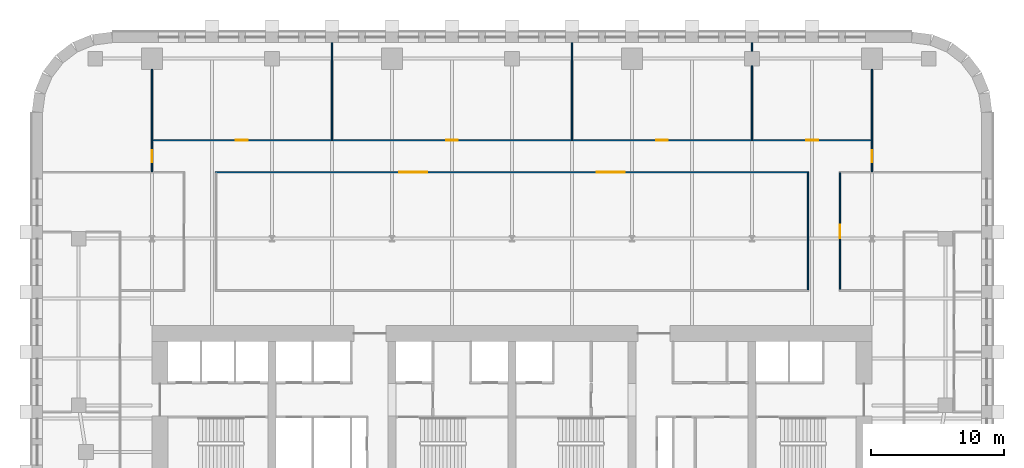
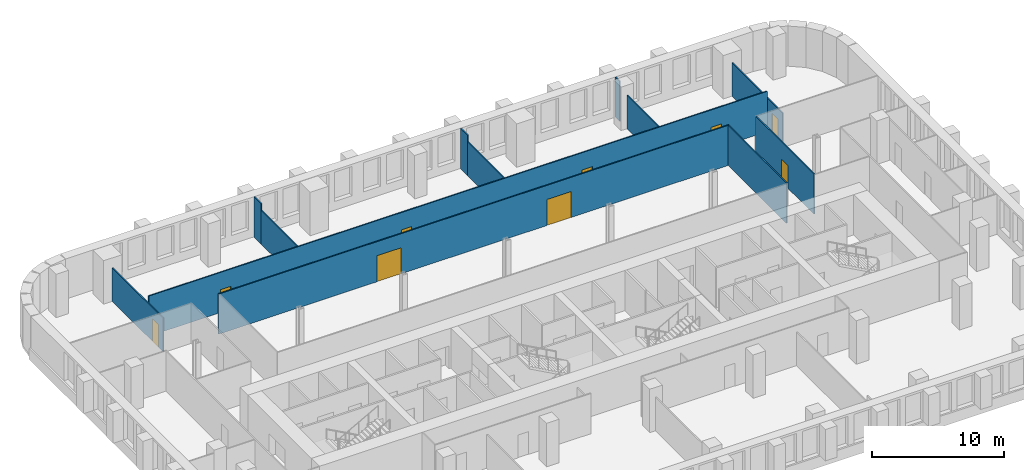
# One storey, part 7 of 12: 12 walls, 9 doors, 9 openings.
"""IFC4 building model written with IfcOpenShell, lengths in metres."""

from ifc_helpers import new_model, si_unit, direction, frame, frame_2d, origin, place, context, subcontext, project, spatial, rectangle, extrude, material, layer, layer_set, type_object, element, fill, save


model = new_model("IFC4")

# Units and contexts
model_context = context("Model", 3, precision=1e-05, world=origin(), true_north=direction((0.0, 1.0)))
body_context = subcontext(model_context, "Body", "Model", "MODEL_VIEW")
ifc_project = project(units=[si_unit("LENGTHUNIT", "METRE"), si_unit("AREAUNIT", "SQUARE_METRE"), si_unit("VOLUMEUNIT", "CUBIC_METRE"), si_unit("PLANEANGLEUNIT", "RADIAN"), si_unit("MASSUNIT", "GRAM", prefix="KILO")], contexts=[model_context])

# Site, building, storey
site_placement = place(None, origin())
site = spatial("IfcSite", under=ifc_project, at=site_placement, CompositionType="ELEMENT")
building_placement = place(site_placement, origin())
building = spatial("IfcBuilding", under=site, at=building_placement, Name="Zellij Exchange Tower", CompositionType="ELEMENT")
storey_placement = place(building_placement, frame((0.0, 0.0, 96.5)))
storey = spatial("IfcBuildingStorey", under=building, at=storey_placement, Name="L20", CompositionType="ELEMENT", Elevation=96.5)

# Wall
ifc_material_1 = material(Name="Gypsum board partition on steel studs", Category="steel")
ifc_layer = layer(ifc_material_1, 0.10009765625)
ifc_layer_set = layer_set([ifc_layer], Name="Gypsum board partition on steel studs")
wall_type = type_object("IfcWallType", Name="FIT-PARTITION-100", PredefinedType="PARTITIONING", material=ifc_layer_set)
wall_1_placement = place(storey_placement, frame((22.199951171875, 0.64990234375, 0.0), z_axis=(0.0, 0.0, 1.0), x_axis=(0.0, 1.0, 0.0)))
element("IfcWall", 1, at=wall_1_placement, inside=storey, type_object=wall_type, Name="FIT-PARTITION-100 028", PredefinedType="PARTITIONING", context=body_context, shape_type="SweptSolid", body=[
    extrude(rectangle(XDim=8.780029296875, YDim=0.10009765625, at=frame_2d((4.39013671875, 0.0))), origin(), (0.0, 0.0, 1.0), 3.699951171875),
])

# Wall, opening, door
wall_2_placement = place(storey_placement, frame((24.60009765625, 0.64990234375, 0.0), z_axis=(0.0, 0.0, 1.0), x_axis=(0.0, 1.0, 0.0)))
wall_2 = element("IfcWall", 2, at=wall_2_placement, inside=storey, type_object=wall_type, Name="FIT-PARTITION-100 030", PredefinedType="PARTITIONING", context=body_context, shape_type="SweptSolid", body=[
    extrude(rectangle(XDim=8.780029296875, YDim=0.10009765625, at=frame_2d((4.39013671875, 0.0))), origin(), (0.0, 0.0, 1.0), 3.699951171875),
])
opening_1_placement = place(wall_2_placement, frame((3.89990234375, 0.0, 0.0)))
opening_1 = element("IfcOpeningElement", 3, at=opening_1_placement, cuts=wall_2, Name="Opening TD.11", PredefinedType="OPENING", context=body_context, shape_type="SweptSolid", body=[
    extrude(rectangle(XDim=1.0, YDim=2.10009765625, at=frame_2d((0.5, 1.050048828125))), frame((0.0, 0.06201171875, 0.0), z_axis=(0.0, -1.0, 0.0), x_axis=(1.0, 0.0, 0.0)), (0.0, 0.0, 1.0), 0.1240234375),
])
ifc_material_2 = material(Name="Timber door set", Category="wood")
door_type_1 = type_object("IfcDoorType", Name="FIT-D2-WIDE-1000X2100", OperationType="SINGLE_SWING_LEFT", PredefinedType="DOOR", material=ifc_material_2)
door_1_placement = place(opening_1_placement, origin())
door_1 = element("IfcDoor", 4, at=door_1_placement, inside=storey, type_object=door_type_1, Name="Door TD.11", OperationType="SINGLE_SWING_RIGHT", OverallHeight=2.10009765625, OverallWidth=1.0, PredefinedType="DOOR", context=body_context, shape_type="SweptSolid", body=[
    extrude(rectangle(XDim=1.0, YDim=2.10009765625, at=frame_2d((0.5, 1.050048828125))), frame((0.0, 0.02490234375, 0.0), z_axis=(0.0, -1.0, 0.0), x_axis=(1.0, 0.0, 0.0)), (0.0, 0.0, 1.0), 0.050048828125),
])
fill(opening_1, door_1)

wall_3_placement = place(storey_placement, frame((-27.0, 9.530029296875, 0.0), z_axis=(0.0, 0.0, 1.0), x_axis=(0.0, 1.0, 0.0)))
wall_3 = element("IfcWall", 5, at=wall_3_placement, inside=storey, type_object=wall_type, Name="FIT-PARTITION-100 036", PredefinedType="PARTITIONING", context=body_context, shape_type="SweptSolid", body=[
    extrude(rectangle(XDim=7.669921875, YDim=0.10009765625, at=frame_2d((3.8349609375, 0.0))), origin(), (0.0, 0.0, 1.0), 3.087890625),
])
opening_2_placement = place(wall_3_placement, frame((0.699951171875, 0.0, 0.0)))
opening_2 = element("IfcOpeningElement", 6, at=opening_2_placement, cuts=wall_3, Name="Opening TD.14", PredefinedType="OPENING", context=body_context, shape_type="SweptSolid", body=[
    extrude(rectangle(XDim=0.89990234375, YDim=2.10009765625, at=frame_2d((0.449951171875, 1.050048828125))), frame((0.0, 0.06201171875, 0.0), z_axis=(0.0, -1.0, 0.0), x_axis=(1.0, 0.0, 0.0)), (0.0, 0.0, 1.0), 0.1240234375),
])
door_type_2 = type_object("IfcDoorType", Name="FIT-D1-ROOM-900X2100", OperationType="SINGLE_SWING_LEFT", PredefinedType="DOOR", material=ifc_material_2)
door_2_placement = place(opening_2_placement, origin())
door_2 = element("IfcDoor", 7, at=door_2_placement, inside=storey, type_object=door_type_2, Name="Door TD.14", OperationType="SINGLE_SWING_RIGHT", OverallHeight=2.10009765625, OverallWidth=0.89990234375, PredefinedType="DOOR", context=body_context, shape_type="SweptSolid", body=[
    extrude(rectangle(XDim=0.89990234375, YDim=2.10009765625, at=frame_2d((0.449951171875, 1.050048828125))), frame((0.0, 0.02490234375, 0.0), z_axis=(0.0, -1.0, 0.0), x_axis=(1.0, 0.0, 0.0)), (0.0, 0.0, 1.0), 0.050048828125),
])
fill(opening_2, door_2)

# Wall, openings, doors
wall_4_placement = place(storey_placement, frame((-22.25, 9.47998046875, 0.0), z_axis=(0.0, 0.0, 1.0), x_axis=(1.0, 0.0, 0.0)))
wall_4 = element("IfcWall", 8, at=wall_4_placement, inside=storey, type_object=wall_type, Name="FIT-PARTITION-100 037", PredefinedType="PARTITIONING", context=body_context, shape_type="SweptSolid", body=[
    extrude(rectangle(XDim=44.5, YDim=0.10009765625, at=frame_2d((22.25, 0.0))), origin(), (0.0, 0.0, 1.0), 3.699951171875),
])
opening_3_placement = place(wall_4_placement, frame((13.800048828125, 0.0, 0.0)))
opening_3 = element("IfcOpeningElement", 9, at=opening_3_placement, cuts=wall_4, Name="Opening TD.12", PredefinedType="OPENING", context=body_context, shape_type="SweptSolid", body=[
    extrude(rectangle(XDim=2.10009765625, YDim=2.39990234375, at=frame_2d((1.050048828125, 1.199951171875))), frame((0.0, 0.06201171875, 0.0), z_axis=(0.0, -1.0, 0.0), x_axis=(1.0, 0.0, 0.0)), (0.0, 0.0, 1.0), 0.1240234375),
])
opening_4_placement = place(wall_4_placement, frame((28.60009765625, 0.0, 0.0)))
opening_4 = element("IfcOpeningElement", 10, at=opening_4_placement, cuts=wall_4, Name="Opening TD.13", PredefinedType="OPENING", context=body_context, shape_type="SweptSolid", body=[
    extrude(rectangle(XDim=2.10009765625, YDim=2.39990234375, at=frame_2d((1.050048828125, 1.199951171875))), frame((0.0, 0.06201171875, 0.0), z_axis=(0.0, -1.0, 0.0), x_axis=(1.0, 0.0, 0.0)), (0.0, 0.0, 1.0), 0.1240234375),
])
door_type_3 = type_object("IfcDoorType", Name="FIT-D7-ASSEMBLY-2100X2400", OperationType="DOUBLE_DOOR_SINGLE_SWING", PredefinedType="DOOR", material=ifc_material_2)
door_3_placement = place(opening_3_placement, origin())
door_3 = element("IfcDoor", 11, at=door_3_placement, inside=storey, type_object=door_type_3, Name="Door TD.12", OperationType="DOUBLE_DOOR_SINGLE_SWING", OverallHeight=2.39990234375, OverallWidth=2.10009765625, PredefinedType="DOOR", context=body_context, shape_type="SweptSolid", body=[
    extrude(rectangle(XDim=2.10009765625, YDim=2.39990234375, at=frame_2d((1.050048828125, 1.199951171875))), frame((0.0, 0.02490234375, 0.0), z_axis=(0.0, -1.0, 0.0), x_axis=(1.0, 0.0, 0.0)), (0.0, 0.0, 1.0), 0.050048828125),
])
fill(opening_3, door_3)
door_4_placement = place(opening_4_placement, origin())
door_4 = element("IfcDoor", 12, at=door_4_placement, inside=storey, type_object=door_type_3, Name="Door TD.13", OperationType="DOUBLE_DOOR_SINGLE_SWING", OverallHeight=2.39990234375, OverallWidth=2.10009765625, PredefinedType="DOOR", context=body_context, shape_type="SweptSolid", body=[
    extrude(rectangle(XDim=2.10009765625, YDim=2.39990234375, at=frame_2d((1.050048828125, 1.199951171875))), frame((0.0, 0.02490234375, 0.0), z_axis=(0.0, -1.0, 0.0), x_axis=(1.0, 0.0, 0.0)), (0.0, 0.0, 1.0), 0.050048828125),
])
fill(opening_4, door_4)

# Wall, opening, door
wall_5_placement = place(storey_placement, frame((27.0, 9.530029296875, 0.0), z_axis=(0.0, 0.0, 1.0), x_axis=(0.0, 1.0, 0.0)))
wall_5 = element("IfcWall", 13, at=wall_5_placement, inside=storey, type_object=wall_type, Name="FIT-PARTITION-100 039", PredefinedType="PARTITIONING", context=body_context, shape_type="SweptSolid", body=[
    extrude(rectangle(XDim=7.669921875, YDim=0.10009765625, at=frame_2d((3.8349609375, 0.0))), origin(), (0.0, 0.0, 1.0), 3.087890625),
])
opening_5_placement = place(wall_5_placement, frame((0.699951171875, 0.0, 0.0)))
opening_5 = element("IfcOpeningElement", 14, at=opening_5_placement, cuts=wall_5, Name="Opening TD.15", PredefinedType="OPENING", context=body_context, shape_type="SweptSolid", body=[
    extrude(rectangle(XDim=0.89990234375, YDim=2.10009765625, at=frame_2d((0.449951171875, 1.050048828125))), frame((0.0, 0.06201171875, 0.0), z_axis=(0.0, -1.0, 0.0), x_axis=(1.0, 0.0, 0.0)), (0.0, 0.0, 1.0), 0.1240234375),
])
door_5_placement = place(opening_5_placement, origin())
door_5 = element("IfcDoor", 15, at=door_5_placement, inside=storey, type_object=door_type_2, Name="Door TD.15", OperationType="SINGLE_SWING_LEFT", OverallHeight=2.10009765625, OverallWidth=0.89990234375, PredefinedType="DOOR", context=body_context, shape_type="SweptSolid", body=[
    extrude(rectangle(XDim=0.89990234375, YDim=2.10009765625, at=frame_2d((0.449951171875, 1.050048828125))), frame((0.0, 0.02490234375, 0.0), z_axis=(0.0, -1.0, 0.0), x_axis=(1.0, 0.0, 0.0)), (0.0, 0.0, 1.0), 0.050048828125),
])
fill(opening_5, door_5)

# Wall, openings, doors
wall_6_placement = place(storey_placement, frame((-26.949951171875, 11.8798828125, 0.0), z_axis=(0.0, 0.0, 1.0), x_axis=(1.0, 0.0, 0.0)))
wall_6 = element("IfcWall", 16, at=wall_6_placement, inside=storey, type_object=wall_type, Name="FIT-PARTITION-100 040", PredefinedType="PARTITIONING", context=body_context, shape_type="SweptSolid", body=[
    extrude(rectangle(XDim=53.89990234375, YDim=0.10009765625, at=frame_2d((26.949951171875, 0.0))), origin(), (0.0, 0.0, 1.0), 3.699951171875),
])
opening_6_placement = place(wall_6_placement, frame((6.25, 0.0, 0.0)))
opening_6 = element("IfcOpeningElement", 17, at=opening_6_placement, cuts=wall_6, Name="Opening TD.16", PredefinedType="OPENING", context=body_context, shape_type="SweptSolid", body=[
    extrude(rectangle(XDim=0.89990234375, YDim=2.10009765625, at=frame_2d((0.449951171875, 1.050048828125))), frame((0.0, 0.06201171875, 0.0), z_axis=(0.0, -1.0, 0.0), x_axis=(1.0, 0.0, 0.0)), (0.0, 0.0, 1.0), 0.1240234375),
])
opening_7_placement = place(wall_6_placement, frame((22.0, 0.0, 0.0)))
opening_7 = element("IfcOpeningElement", 18, at=opening_7_placement, cuts=wall_6, Name="Opening TD.17", PredefinedType="OPENING", context=body_context, shape_type="SweptSolid", body=[
    extrude(rectangle(XDim=0.89990234375, YDim=2.10009765625, at=frame_2d((0.449951171875, 1.050048828125))), frame((0.0, 0.06201171875, 0.0), z_axis=(0.0, -1.0, 0.0), x_axis=(1.0, 0.0, 0.0)), (0.0, 0.0, 1.0), 0.1240234375),
])
opening_8_placement = place(wall_6_placement, frame((37.75, 0.0, 0.0)))
opening_8 = element("IfcOpeningElement", 19, at=opening_8_placement, cuts=wall_6, Name="Opening TD.18", PredefinedType="OPENING", context=body_context, shape_type="SweptSolid", body=[
    extrude(rectangle(XDim=0.89990234375, YDim=2.10009765625, at=frame_2d((0.449951171875, 1.050048828125))), frame((0.0, 0.06201171875, 0.0), z_axis=(0.0, -1.0, 0.0), x_axis=(1.0, 0.0, 0.0)), (0.0, 0.0, 1.0), 0.1240234375),
])
opening_9_placement = place(wall_6_placement, frame((49.0, 0.0, 0.0)))
opening_9 = element("IfcOpeningElement", 20, at=opening_9_placement, cuts=wall_6, Name="Opening TD.19", PredefinedType="OPENING", context=body_context, shape_type="SweptSolid", body=[
    extrude(rectangle(XDim=0.89990234375, YDim=2.10009765625, at=frame_2d((0.449951171875, 1.050048828125))), frame((0.0, 0.06201171875, 0.0), z_axis=(0.0, -1.0, 0.0), x_axis=(1.0, 0.0, 0.0)), (0.0, 0.0, 1.0), 0.1240234375),
])
door_6_placement = place(opening_6_placement, origin())
door_6 = element("IfcDoor", 21, at=door_6_placement, inside=storey, type_object=door_type_2, Name="Door TD.16", OperationType="SINGLE_SWING_RIGHT", OverallHeight=2.10009765625, OverallWidth=0.89990234375, PredefinedType="DOOR", context=body_context, shape_type="SweptSolid", body=[
    extrude(rectangle(XDim=0.89990234375, YDim=2.10009765625, at=frame_2d((0.449951171875, 1.050048828125))), frame((0.0, 0.02490234375, 0.0), z_axis=(0.0, -1.0, 0.0), x_axis=(1.0, 0.0, 0.0)), (0.0, 0.0, 1.0), 0.050048828125),
])
fill(opening_6, door_6)
door_7_placement = place(opening_7_placement, origin())
door_7 = element("IfcDoor", 22, at=door_7_placement, inside=storey, type_object=door_type_2, Name="Door TD.17", OperationType="SINGLE_SWING_RIGHT", OverallHeight=2.10009765625, OverallWidth=0.89990234375, PredefinedType="DOOR", context=body_context, shape_type="SweptSolid", body=[
    extrude(rectangle(XDim=0.89990234375, YDim=2.10009765625, at=frame_2d((0.449951171875, 1.050048828125))), frame((0.0, 0.02490234375, 0.0), z_axis=(0.0, -1.0, 0.0), x_axis=(1.0, 0.0, 0.0)), (0.0, 0.0, 1.0), 0.050048828125),
])
fill(opening_7, door_7)
door_8_placement = place(opening_8_placement, origin())
door_8 = element("IfcDoor", 23, at=door_8_placement, inside=storey, type_object=door_type_2, Name="Door TD.18", OperationType="SINGLE_SWING_RIGHT", OverallHeight=2.10009765625, OverallWidth=0.89990234375, PredefinedType="DOOR", context=body_context, shape_type="SweptSolid", body=[
    extrude(rectangle(XDim=0.89990234375, YDim=2.10009765625, at=frame_2d((0.449951171875, 1.050048828125))), frame((0.0, 0.02490234375, 0.0), z_axis=(0.0, -1.0, 0.0), x_axis=(1.0, 0.0, 0.0)), (0.0, 0.0, 1.0), 0.050048828125),
])
fill(opening_8, door_8)
door_9_placement = place(opening_9_placement, origin())
door_9 = element("IfcDoor", 24, at=door_9_placement, inside=storey, type_object=door_type_2, Name="Door TD.19", OperationType="SINGLE_SWING_RIGHT", OverallHeight=2.10009765625, OverallWidth=0.89990234375, PredefinedType="DOOR", context=body_context, shape_type="SweptSolid", body=[
    extrude(rectangle(XDim=0.89990234375, YDim=2.10009765625, at=frame_2d((0.449951171875, 1.050048828125))), frame((0.0, 0.02490234375, 0.0), z_axis=(0.0, -1.0, 0.0), x_axis=(1.0, 0.0, 0.0)), (0.0, 0.0, 1.0), 0.050048828125),
])
fill(opening_9, door_9)

# Walls
wall_7_placement = place(storey_placement, frame((-13.5, 11.929931640625, 0.0), z_axis=(0.0, 0.0, 1.0), x_axis=(0.0, 1.0, 0.0)))
element("IfcWall", 25, at=wall_7_placement, inside=storey, type_object=wall_type, Name="FIT-PARTITION-100 041", PredefinedType="PARTITIONING", context=body_context, shape_type="SweptSolid", body=[
    extrude(rectangle(XDim=6.1845703125, YDim=0.10009765625, at=frame_2d((3.09228515625, 0.0))), origin(), (0.0, 0.0, 1.0), 3.097900390625),
])
wall_8_placement = place(storey_placement, frame((-13.5, 18.114501953125, 0.0), z_axis=(0.0, 0.0, 1.0), x_axis=(0.0, 1.0, 0.0)))
element("IfcWall", 26, at=wall_8_placement, inside=storey, type_object=wall_type, Name="FIT-PARTITION-100 042", PredefinedType="PARTITIONING", context=body_context, shape_type="SweptSolid", body=[
    extrude(rectangle(XDim=1.08544921875, YDim=0.10009765625, at=frame_2d((0.542724609375, 0.0))), origin(), (0.0, 0.0, 1.0), 3.699951171875),
])
wall_9_placement = place(storey_placement, frame((4.5, 11.929931640625, 0.0), z_axis=(0.0, 0.0, 1.0), x_axis=(0.0, 1.0, 0.0)))
element("IfcWall", 27, at=wall_9_placement, inside=storey, type_object=wall_type, Name="FIT-PARTITION-100 043", PredefinedType="PARTITIONING", context=body_context, shape_type="SweptSolid", body=[
    extrude(rectangle(XDim=6.1845703125, YDim=0.10009765625, at=frame_2d((3.09228515625, 0.0))), origin(), (0.0, 0.0, 1.0), 3.097900390625),
])
wall_10_placement = place(storey_placement, frame((4.5, 18.114501953125, 0.0), z_axis=(0.0, 0.0, 1.0), x_axis=(0.0, 1.0, 0.0)))
element("IfcWall", 28, at=wall_10_placement, inside=storey, type_object=wall_type, Name="FIT-PARTITION-100 044", PredefinedType="PARTITIONING", context=body_context, shape_type="SweptSolid", body=[
    extrude(rectangle(XDim=1.08544921875, YDim=0.10009765625, at=frame_2d((0.542724609375, 0.0))), origin(), (0.0, 0.0, 1.0), 3.699951171875),
])
wall_11_placement = place(storey_placement, frame((18.0, 11.929931640625, 0.0), z_axis=(0.0, 0.0, 1.0), x_axis=(0.0, 1.0, 0.0)))
element("IfcWall", 29, at=wall_11_placement, inside=storey, type_object=wall_type, Name="FIT-PARTITION-100 045", PredefinedType="PARTITIONING", context=body_context, shape_type="SweptSolid", body=[
    extrude(rectangle(XDim=5.52001953125, YDim=0.10009765625, at=frame_2d((2.760009765625, 0.0))), origin(), (0.0, 0.0, 1.0), 3.087890625),
])
wall_12_placement = place(storey_placement, frame((18.0, 18.550048828125, 0.0), z_axis=(0.0, 0.0, 1.0), x_axis=(0.0, 1.0, 0.0)))
element("IfcWall", 30, at=wall_12_placement, inside=storey, type_object=wall_type, Name="FIT-PARTITION-100 046", PredefinedType="PARTITIONING", context=body_context, shape_type="SweptSolid", body=[
    extrude(rectangle(XDim=0.64990234375, YDim=0.10009765625, at=frame_2d((0.324951171875, 0.0))), origin(), (0.0, 0.0, 1.0), 3.699951171875),
])

save(model, "model.ifc")
